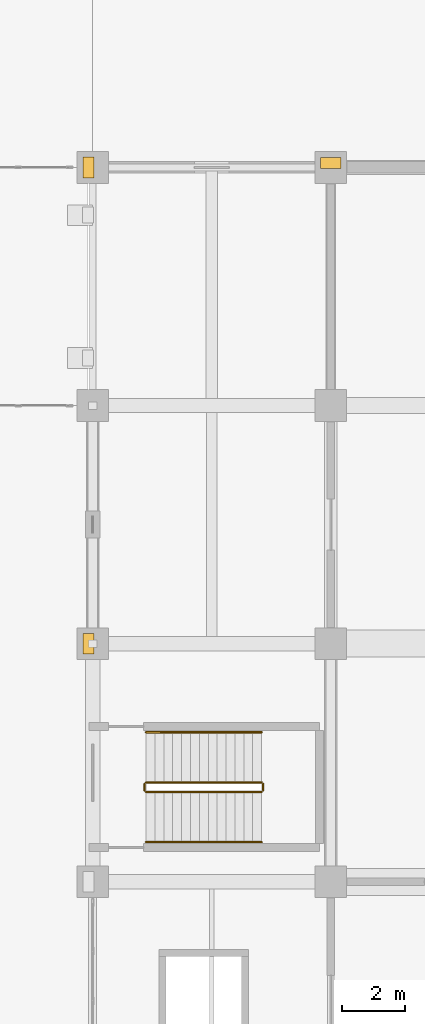
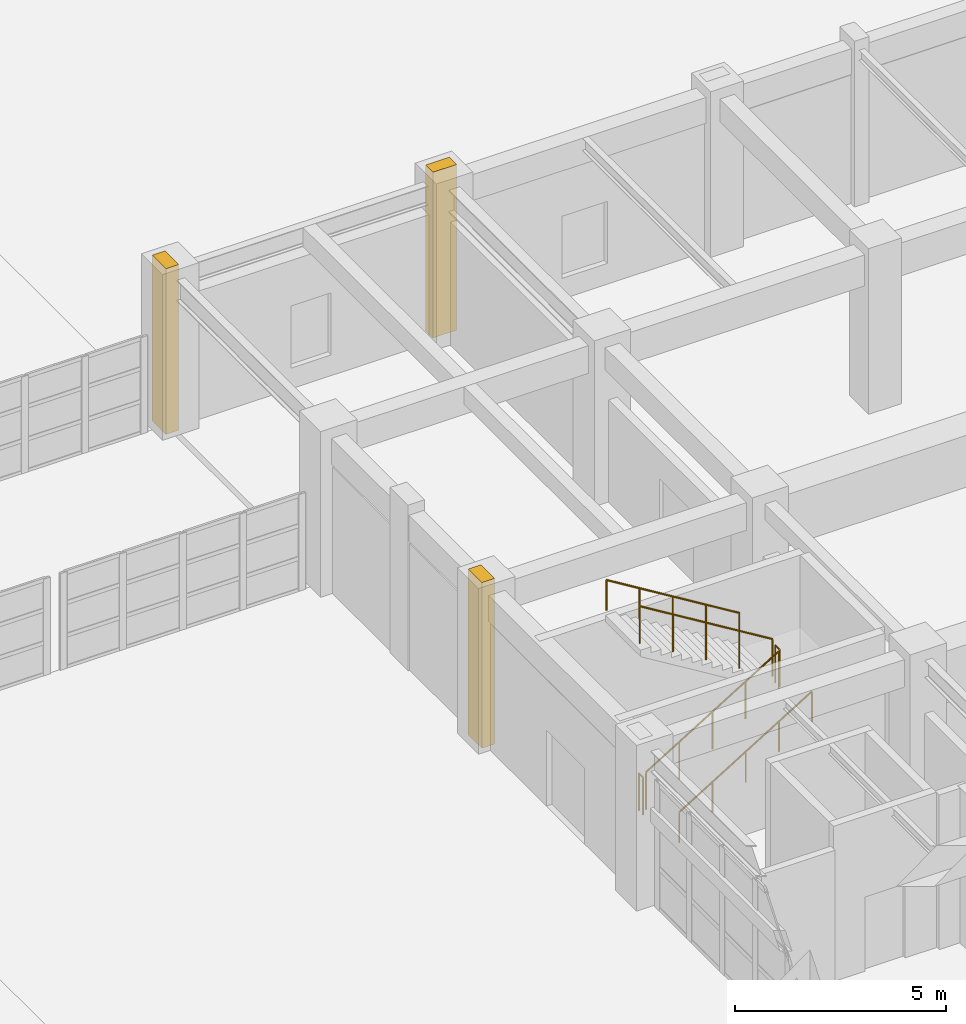
# One storey, part 114 of 122: 6 railings, 3 coverings.
"""IFC4 building model written with IfcOpenShell, lengths in metres."""

import ifcopenshell
import ifcopenshell.guid

model = None  # the IFC model being written
_history = None  # IfcOwnerHistory: only IFC2X3 demands one
_inside = {}  # id of a spatial element -> (the spatial element, [elements in it])
_under = {}  # id of a project, library or spatial element -> (it, [spatial elements below it])
_declared = {}  # id of a project -> (the project, [libraries it declares])
_typed = {}  # id of a type object -> (the type object, [elements of that type])
_made_of = {}  # id of a material, layer set ... -> (it, [elements and type objects made of it])


def new_model(schema):
    """Start an empty IFC model of exactly this schema.

    Asked for "IFC4X3", IfcOpenShell would pick the latest addendum, in which some entities
    have other attributes; the version numbers below select the first issue.
    IFC2X3 requires an IfcOwnerHistory on every rooted entity: one is made here for all.
    """
    global model, _history
    if schema == "IFC4X3":
        model = ifcopenshell.file(schema_version=(4, 3, 0, 0))
    else:
        model = ifcopenshell.file(schema=schema)
    _inside.clear()
    _under.clear()
    _declared.clear()
    _typed.clear()
    _made_of.clear()
    _history = None
    if model.schema == "IFC2X3":
        org = make("IfcOrganization", Name="unknown")
        user = make(
            "IfcPersonAndOrganization",
            ThePerson=make("IfcPerson", FamilyName="unknown"),
            TheOrganization=org,
        )
        app = make(
            "IfcApplication",
            ApplicationDeveloper=org,
            Version="unknown",
            ApplicationFullName="unknown",
            ApplicationIdentifier="unknown",
        )
        _history = make(
            "IfcOwnerHistory",
            OwningUser=user,
            OwningApplication=app,
            ChangeAction="ADDED",
            CreationDate=0,
        )
    return model


def make(cls, **values):
    """One entity of the class cls with the attributes given. An attribute that is None is left unset."""
    return model.create_entity(
        cls, **{name: value for name, value in values.items() if value is not None}
    )


def rooted(cls, **values):
    """An entity with a GlobalId (a new one), such as an element, a storey or a relation."""
    return make(cls, GlobalId=ifcopenshell.guid.new(), OwnerHistory=_history, **values)


def si_unit(unit_type, name, prefix=None):
    """IfcSIUnit, for example si_unit("LENGTHUNIT", "METRE", prefix="MILLI")."""
    return make("IfcSIUnit", UnitType=unit_type, Prefix=prefix, Name=name)


def assignment(units):
    """IfcUnitAssignment: the units of a project."""
    return None if units is None else make("IfcUnitAssignment", Units=units)


def point(xyz):
    """IfcCartesianPoint."""
    return None if xyz is None else make("IfcCartesianPoint", Coordinates=xyz)


def direction(xyz):
    """IfcDirection."""
    return None if xyz is None else make("IfcDirection", DirectionRatios=xyz)


def frame(location, z_axis=None, x_axis=None):
    """IfcAxis2Placement3D, a coordinate frame: its origin and axes. An axis left out is left unset."""
    return make(
        "IfcAxis2Placement3D",
        Location=point(location),
        Axis=direction(z_axis),
        RefDirection=direction(x_axis),
    )


def frame_2d(location, x_axis=None):
    """IfcAxis2Placement2D, a coordinate frame in the plane: its origin and x axis."""
    return make(
        "IfcAxis2Placement2D", Location=point(location), RefDirection=direction(x_axis)
    )


def origin():
    """The frame at (0, 0, 0) with its axes left unset."""
    return frame((0.0, 0.0, 0.0))


def origin_2d():
    """The frame at (0, 0) in the plane with its x axis left unset."""
    return frame_2d((0.0, 0.0))


def place(relative_to, where):
    """IfcLocalPlacement: puts the frame where relative to a parent placement (None: the world)."""
    return make(
        "IfcLocalPlacement", PlacementRelTo=relative_to, RelativePlacement=where
    )


def context(
    kind, dimensions, precision=None, world=None, true_north=None, identifier=None
):
    """IfcGeometricRepresentationContext, for example the 3D "Model" context."""
    return make(
        "IfcGeometricRepresentationContext",
        ContextIdentifier=identifier,
        ContextType=kind,
        CoordinateSpaceDimension=dimensions,
        Precision=precision,
        WorldCoordinateSystem=world,
        TrueNorth=true_north,
    )


def subcontext(parent, identifier, kind, view, scale=None):
    """IfcGeometricRepresentationSubContext, for example "Body" below "Model"."""
    return make(
        "IfcGeometricRepresentationSubContext",
        ContextIdentifier=identifier,
        ContextType=kind,
        ParentContext=parent,
        TargetScale=scale,
        TargetView=view,
    )


def project(units=None, contexts=None):
    """IfcProject with its units and contexts."""
    return rooted(
        "IfcProject",
        Name="project",
        RepresentationContexts=contexts,
        UnitsInContext=assignment(units),
    )


def spatial(cls, under=None, at=None, **own):
    """A site, building, storey or space (cls), placed at a placement, below another one or the project."""
    s = rooted(cls, ObjectPlacement=at, **own)
    if under is not None:
        _under.setdefault(under.id(), (under, []))[1].append(s)
    return s


def profile(cls, at=None, kind="AREA", **sizes):
    """A parametric profile (cls). Its sizes go by their IFC names, for example OverallWidth=200.0."""
    return make(cls, ProfileType=kind, Position=at, **sizes)


def rectangle(**sizes):
    """IfcRectangleProfileDef."""
    return profile("IfcRectangleProfileDef", **sizes)


def circle(**sizes):
    """IfcCircleProfileDef."""
    return profile("IfcCircleProfileDef", **sizes)


def extrude(swept, where, along, depth):
    """IfcExtrudedAreaSolid: the profile swept, set in the frame where, extruded along a direction by depth."""
    return make(
        "IfcExtrudedAreaSolid",
        SweptArea=swept,
        Position=where,
        ExtrudedDirection=direction(along),
        Depth=depth,
    )


def shape(context_of_items, identifier, shape_type, items):
    """IfcShapeRepresentation: the items that make up one representation, for example the "Body"."""
    return make(
        "IfcShapeRepresentation",
        ContextOfItems=context_of_items,
        RepresentationIdentifier=identifier,
        RepresentationType=shape_type,
        Items=items,
    )


def material(Name=None, Category=None):
    """IfcMaterial."""
    return make("IfcMaterial", Name=Name, Category=Category)


def layer(
    of_material, thickness, ventilated=None, Name=None, Category=None, Priority=None
):
    """IfcMaterialLayer: one layer of a wall or slab, of a material (None: an air gap)."""
    return make(
        "IfcMaterialLayer",
        Material=of_material,
        LayerThickness=thickness,
        IsVentilated=ventilated,
        Name=Name,
        Category=Category,
        Priority=Priority,
    )


def layer_set(layers, Name=None):
    """IfcMaterialLayerSet."""
    return make("IfcMaterialLayerSet", MaterialLayers=layers, LayerSetName=Name)


def made_of(thing, what):
    """Note that an element or type object is made of a material, layer set ...; save() writes the relation."""
    if what is not None:
        _made_of.setdefault(what.id(), (what, []))[1].append(thing)
    return thing


def type_object(cls, material=None, **own):
    """A type object (cls), such as IfcWallType, which elements share."""
    return made_of(rooted(cls, **own), material)


def element(
    cls,
    number,
    at=None,
    inside=None,
    cuts=None,
    type_object=None,
    material=None,
    context=None,
    identifier="Body",
    shape_type=None,
    held_by="IfcProductDefinitionShape",
    body=None,
    shapes=None,
    **own,
):
    """One element of the class cls, such as IfcWall. Its Tag is "e" and its number.

    at: its placement. inside: the storey or other place that contains it. cuts: it is an
    opening in that element (IfcRelVoidsElement). A single representation is given by context,
    identifier, shape_type and body (its items); several are given by shapes. held_by: the class
    of the entity that holds the representations. save() writes the other relations.
    """
    e = rooted(cls, Tag="e%d" % number, ObjectPlacement=at, **own)
    if body is not None:
        shapes = [shape(context, identifier, shape_type, body)]
    if shapes is not None:
        e.Representation = make(held_by, Representations=shapes)
    if inside is not None:
        _inside.setdefault(inside.id(), (inside, []))[1].append(e)
    if cuts is not None:
        rooted(
            "IfcRelVoidsElement", RelatingBuildingElement=cuts, RelatedOpeningElement=e
        )
    if type_object is not None:
        _typed.setdefault(type_object.id(), (type_object, []))[1].append(e)
    return made_of(e, material)


def aggregate(whole, parts):
    """IfcRelAggregates: a whole, such as a stair, and the parts it consists of."""
    return rooted("IfcRelAggregates", RelatingObject=whole, RelatedObjects=parts)


def save(model, path):
    """Write the relations noted so far, then the file.

    IfcRelAggregates (storeys below a building ...), IfcRelContainedInSpatialStructure (elements
    in a storey), IfcRelDefinesByType, IfcRelAssociatesMaterial and IfcRelDeclares: one each for
    every whole, place, type object, material and project.
    """
    for whole, parts in _under.values():
        aggregate(whole, parts)
    for where, things in _inside.values():
        rooted(
            "IfcRelContainedInSpatialStructure",
            RelatedElements=things,
            RelatingStructure=where,
        )
    for kind, things in _typed.values():
        rooted("IfcRelDefinesByType", RelatedObjects=things, RelatingType=kind)
    for what, things in _made_of.values():
        rooted("IfcRelAssociatesMaterial", RelatedObjects=things, RelatingMaterial=what)
    for by, libraries in _declared.values():
        rooted("IfcRelDeclares", RelatingContext=by, RelatedDefinitions=libraries)
    model.write(path)


model = new_model("IFC4")

# Units and contexts
model_context = context("Model", 3, precision=1e-05, world=origin(), true_north=direction((0.0, 1.0)))
body_context = subcontext(model_context, "Body", "Model", "MODEL_VIEW")
ifc_project = project(units=[si_unit("LENGTHUNIT", "METRE"), si_unit("AREAUNIT", "SQUARE_METRE"), si_unit("VOLUMEUNIT", "CUBIC_METRE"), si_unit("PLANEANGLEUNIT", "RADIAN"), si_unit("MASSUNIT", "GRAM", prefix="KILO")], contexts=[model_context])

# Site, building, storey
site_placement = place(None, origin())
site = spatial("IfcSite", under=ifc_project, at=site_placement, CompositionType="ELEMENT")
building_placement = place(site_placement, origin())
building = spatial("IfcBuilding", under=site, at=building_placement, Name="Qasida Concert Hall", CompositionType="ELEMENT")
storey_placement = place(building_placement, origin())
storey = spatial("IfcBuildingStorey", under=building, at=storey_placement, Name="L00", CompositionType="ELEMENT", Elevation=0.0)

# Coverings
ifc_material_1 = material(Name="Projecting fluted Lebanese limestone Art Deco pilaster", Category="masonry")
ifc_layer_1 = layer(ifc_material_1, 0.35009765625, Name="Projecting fluted Lebanese limestone Art Deco pilaster")
ifc_layer_set_1 = layer_set([ifc_layer_1], Name="Projecting fluted Lebanese limestone Art Deco pilaster")
covering_type = type_object("IfcCoveringType", Name="CV-PIL-650", PredefinedType="CLADDING", material=ifc_layer_set_1)
for number, where, z_axis, x_axis, name in (
    (1, (52.364990234375, 67.5, 0.0), (0.0, 0.0, 1.0), (1.0, 0.0, 0.0), "L00 fluted limestone pilaster 0071"),
    (2, (52.364990234375, 82.5, 0.0), (0.0, 0.0, 1.0), (1.0, 0.0, 0.0), "L00 fluted limestone pilaster 0085"),
):
    element("IfcCovering", number, at=place(storey_placement, frame(where, z_axis=z_axis, x_axis=x_axis)), inside=storey, type_object=covering_type, Name=name, PredefinedType="CLADDING", context=body_context, shape_type="SweptSolid", body=[
        extrude(rectangle(XDim=0.35009765625, YDim=0.64990234375, at=origin_2d()), origin(), (0.0, 0.0, 1.0), 4.800048828125),
    ])
covering_placement = place(storey_placement, frame((60.0, 82.635009765625, 0.0), z_axis=(0.0, 0.0, 1.0), x_axis=(1.0, 0.0, 0.0)))
element("IfcCovering", 3, at=covering_placement, inside=storey, type_object=covering_type, Name="L00 fluted limestone pilaster 0099", PredefinedType="CLADDING", context=body_context, shape_type="SweptSolid", body=[
    extrude(rectangle(XDim=0.64990234375, YDim=0.35009765625, at=origin_2d()), origin(), (0.0, 0.0, 1.0), 4.800048828125),
])

# Railings
ifc_material_2 = material(Name="Patinated architectural bronze and laminated glass infill", Category="glass")
ifc_layer_2 = layer(ifc_material_2, 0.080078125, Name="Patinated architectural bronze and laminated glass infill")
ifc_layer_set_2 = layer_set([ifc_layer_2], Name="Patinated architectural bronze and laminated glass infill")
railing_type_1 = type_object("IfcRailingType", Name="RL-GRD-1100", PredefinedType="GUARDRAIL", material=ifc_layer_set_2)
railing_1_placement = place(storey_placement, frame((54.179931640625, 62.830078125, 0.17138671875)))
element("IfcRailing", 4, at=railing_1_placement, inside=storey, type_object=railing_type_1, Name="L00 ST-11 stair guard 1", PredefinedType="GUARDRAIL", context=body_context, shape_type="SweptSolid", body=[
    extrude(circle(Radius=0.02392578125, at=origin_2d()), frame((0.0, 0.0, 1.076171875), z_axis=(0.852865859571, 0.0, 0.52213008492), x_axis=(0.0, 1.0, 0.0)), (0.0, 0.0, 1.0), 4.26806640625),
    extrude(circle(Radius=0.02099609375, at=origin_2d()), origin(), (0.0, 0.0, 1.0), 1.052001953125),
    extrude(circle(Radius=0.02099609375, at=origin_2d()), frame((0.91015625, 0.0, 0.55712890625)), (0.0, 0.0, 1.0), 1.052001953125),
    extrude(circle(Radius=0.02099609375, at=origin_2d()), frame((1.820068359375, 0.0, 1.1142578125)), (0.0, 0.0, 1.0), 1.052001953125),
    extrude(circle(Radius=0.02099609375, at=origin_2d()), frame((2.72998046875, 0.0, 1.67138671875)), (0.0, 0.0, 1.0), 1.052001953125),
    extrude(circle(Radius=0.02099609375, at=origin_2d()), frame((3.64013671875, 0.0, 2.228515625)), (0.0, 0.0, 1.0), 1.052001953125),
])
railing_2_placement = place(storey_placement, frame((57.8701171875, 62.8798828125, 2.39990234375)))
element("IfcRailing", 5, at=railing_2_placement, inside=storey, type_object=railing_type_1, Name="L00 ST-11 stair guard 2", PredefinedType="GUARDRAIL", context=body_context, shape_type="SweptSolid", body=[
    extrude(circle(Radius=0.02392578125, at=origin_2d()), frame((0.0, 0.0, 1.076171875), z_axis=(0.0, 1.0, 0.0), x_axis=(-1.0, 0.0, 0.0)), (0.0, 0.0, 1.0), 0.2001953125),
    extrude(circle(Radius=0.02099609375, at=origin_2d()), origin(), (0.0, 0.0, 1.0), 1.052001953125),
    extrude(circle(Radius=0.02099609375, at=origin_2d()), frame((0.0, 0.2001953125, 0.0)), (0.0, 0.0, 1.0), 1.052001953125),
])
railing_3_placement = place(storey_placement, frame((57.820068359375, 63.1298828125, 2.571533203125)))
element("IfcRailing", 6, at=railing_3_placement, inside=storey, type_object=railing_type_1, Name="L00 ST-11 stair guard 3", PredefinedType="GUARDRAIL", context=body_context, shape_type="SweptSolid", body=[
    extrude(circle(Radius=0.02392578125, at=origin_2d()), frame((0.0, 0.0, 1.076171875), z_axis=(-0.852865859571, 0.0, 0.52213008492), x_axis=(0.0, -1.0, 0.0)), (0.0, 0.0, 1.0), 4.26806640625),
    extrude(circle(Radius=0.02099609375, at=origin_2d()), origin(), (0.0, 0.0, 1.0), 1.052001953125),
    extrude(circle(Radius=0.02099609375, at=origin_2d()), frame((-0.91015625, 0.0, 0.55712890625)), (0.0, 0.0, 1.0), 1.052001953125),
    extrude(circle(Radius=0.02099609375, at=origin_2d()), frame((-1.820068359375, 0.0, 1.1142578125)), (0.0, 0.0, 1.0), 1.052001953125),
    extrude(circle(Radius=0.02099609375, at=origin_2d()), frame((-2.72998046875, 0.0, 1.67138671875)), (0.0, 0.0, 1.0), 1.052001953125),
    extrude(circle(Radius=0.02099609375, at=origin_2d()), frame((-3.64013671875, 0.0, 2.228515625)), (0.0, 0.0, 1.0), 1.052001953125),
])
railing_4_placement = place(storey_placement, frame((54.1298828125, 62.8798828125, 0.0)))
element("IfcRailing", 7, at=railing_4_placement, inside=storey, type_object=railing_type_1, Name="L00 ST-11 stair guard 4", PredefinedType="GUARDRAIL", context=body_context, shape_type="SweptSolid", body=[
    extrude(circle(Radius=0.02392578125, at=origin_2d()), frame((0.0, 0.0, 1.076171875), z_axis=(0.0, 1.0, 0.0), x_axis=(-1.0, 0.0, 0.0)), (0.0, 0.0, 1.0), 0.2001953125),
    extrude(circle(Radius=0.02099609375, at=origin_2d()), origin(), (0.0, 0.0, 1.0), 1.052001953125),
    extrude(circle(Radius=0.02099609375, at=origin_2d()), frame((0.0, 0.2001953125, 0.0)), (0.0, 0.0, 1.0), 1.052001953125),
])
ifc_material_3 = material(Name="Patinated tubular architectural bronze", Category="steel")
ifc_layer_3 = layer(ifc_material_3, 0.050048828125, Name="Patinated tubular architectural bronze")
ifc_layer_set_3 = layer_set([ifc_layer_3], Name="Patinated tubular architectural bronze")
railing_type_2 = type_object("IfcRailingType", Name="RL-HND-900", PredefinedType="HANDRAIL", material=ifc_layer_set_3)
railing_5_placement = place(storey_placement, frame((54.179931640625, 61.25, 0.17138671875)))
element("IfcRailing", 8, at=railing_5_placement, inside=storey, type_object=railing_type_2, Name="L00 ST-11 stair handrail 1", PredefinedType="HANDRAIL", context=body_context, shape_type="SweptSolid", body=[
    extrude(circle(Radius=0.02392578125, at=origin_2d()), frame((0.0, 0.0, 0.8759765625), z_axis=(0.852865859571, 0.0, 0.52213008492), x_axis=(0.0, 1.0, 0.0)), (0.0, 0.0, 1.0), 4.26806640625),
    extrude(circle(Radius=0.02099609375, at=origin_2d()), origin(), (0.0, 0.0, 1.0), 0.851806640625),
    extrude(circle(Radius=0.02099609375, at=origin_2d()), frame((0.91015625, 0.0, 0.55712890625)), (0.0, 0.0, 1.0), 0.851806640625),
    extrude(circle(Radius=0.02099609375, at=origin_2d()), frame((1.820068359375, 0.0, 1.1142578125)), (0.0, 0.0, 1.0), 0.851806640625),
    extrude(circle(Radius=0.02099609375, at=origin_2d()), frame((2.72998046875, 0.0, 1.67138671875)), (0.0, 0.0, 1.0), 0.851806640625),
    extrude(circle(Radius=0.02099609375, at=origin_2d()), frame((3.64013671875, 0.0, 2.228515625)), (0.0, 0.0, 1.0), 0.851806640625),
])
railing_6_placement = place(storey_placement, frame((57.820068359375, 64.7099609375, 2.571533203125)))
element("IfcRailing", 9, at=railing_6_placement, inside=storey, type_object=railing_type_2, Name="L00 ST-11 stair handrail 2", PredefinedType="HANDRAIL", context=body_context, shape_type="SweptSolid", body=[
    extrude(circle(Radius=0.02392578125, at=origin_2d()), frame((0.0, 0.0, 0.8759765625), z_axis=(-0.852865859571, 0.0, 0.52213008492), x_axis=(0.0, -1.0, 0.0)), (0.0, 0.0, 1.0), 4.26806640625),
    extrude(circle(Radius=0.02099609375, at=origin_2d()), origin(), (0.0, 0.0, 1.0), 0.851806640625),
    extrude(circle(Radius=0.02099609375, at=origin_2d()), frame((-0.91015625, 0.0, 0.55712890625)), (0.0, 0.0, 1.0), 0.851806640625),
    extrude(circle(Radius=0.02099609375, at=origin_2d()), frame((-1.820068359375, 0.0, 1.1142578125)), (0.0, 0.0, 1.0), 0.851806640625),
    extrude(circle(Radius=0.02099609375, at=origin_2d()), frame((-2.72998046875, 0.0, 1.67138671875)), (0.0, 0.0, 1.0), 0.851806640625),
    extrude(circle(Radius=0.02099609375, at=origin_2d()), frame((-3.64013671875, 0.0, 2.228515625)), (0.0, 0.0, 1.0), 0.851806640625),
])

save(model, "model.ifc")
